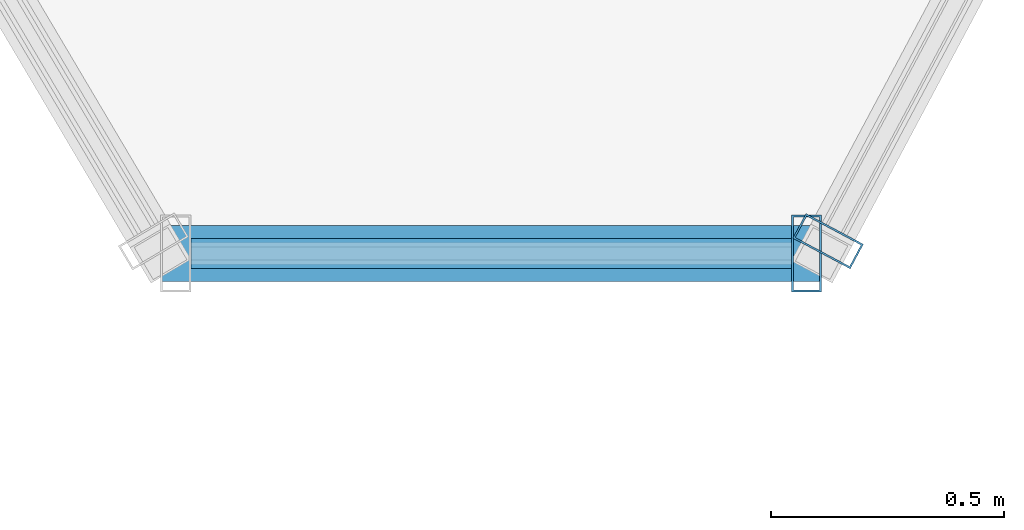
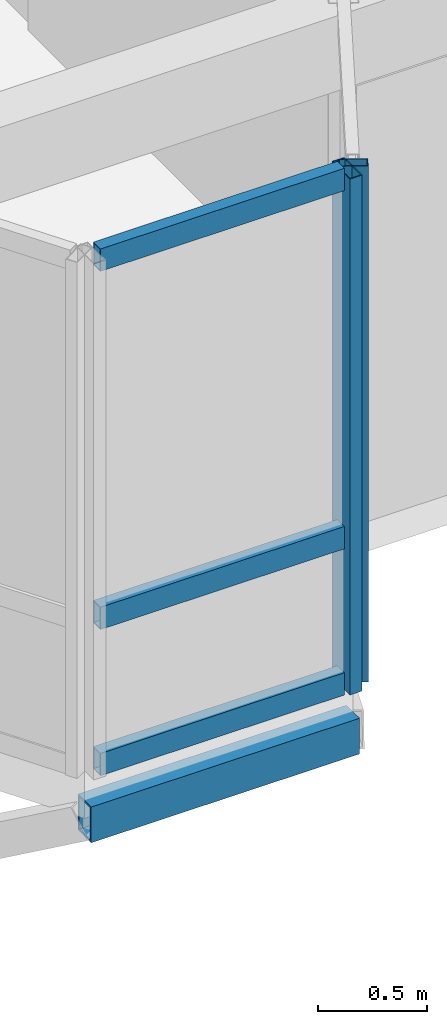
# One storey, part 28 of 64: 6 members, 2 elements without a shape of their own.
"""IFC4 building model written with IfcOpenShell, lengths in metres."""

import ifcopenshell
import ifcopenshell.guid

model = None  # the IFC model being written
_history = None  # IfcOwnerHistory: only IFC2X3 demands one
_inside = {}  # id of a spatial element -> (the spatial element, [elements in it])
_under = {}  # id of a project, library or spatial element -> (it, [spatial elements below it])
_declared = {}  # id of a project -> (the project, [libraries it declares])
_typed = {}  # id of a type object -> (the type object, [elements of that type])
_made_of = {}  # id of a material, layer set ... -> (it, [elements and type objects made of it])


def new_model(schema):
    """Start an empty IFC model of exactly this schema.

    Asked for "IFC4X3", IfcOpenShell would pick the latest addendum, in which some entities
    have other attributes; the version numbers below select the first issue.
    IFC2X3 requires an IfcOwnerHistory on every rooted entity: one is made here for all.
    """
    global model, _history
    if schema == "IFC4X3":
        model = ifcopenshell.file(schema_version=(4, 3, 0, 0))
    else:
        model = ifcopenshell.file(schema=schema)
    _inside.clear()
    _under.clear()
    _declared.clear()
    _typed.clear()
    _made_of.clear()
    _history = None
    if model.schema == "IFC2X3":
        org = make("IfcOrganization", Name="unknown")
        user = make(
            "IfcPersonAndOrganization",
            ThePerson=make("IfcPerson", FamilyName="unknown"),
            TheOrganization=org,
        )
        app = make(
            "IfcApplication",
            ApplicationDeveloper=org,
            Version="unknown",
            ApplicationFullName="unknown",
            ApplicationIdentifier="unknown",
        )
        _history = make(
            "IfcOwnerHistory",
            OwningUser=user,
            OwningApplication=app,
            ChangeAction="ADDED",
            CreationDate=0,
        )
    return model


def make(cls, **values):
    """One entity of the class cls with the attributes given. An attribute that is None is left unset."""
    return model.create_entity(
        cls, **{name: value for name, value in values.items() if value is not None}
    )


def rooted(cls, **values):
    """An entity with a GlobalId (a new one), such as an element, a storey or a relation."""
    return make(cls, GlobalId=ifcopenshell.guid.new(), OwnerHistory=_history, **values)


def si_unit(unit_type, name, prefix=None):
    """IfcSIUnit, for example si_unit("LENGTHUNIT", "METRE", prefix="MILLI")."""
    return make("IfcSIUnit", UnitType=unit_type, Prefix=prefix, Name=name)


def assignment(units):
    """IfcUnitAssignment: the units of a project."""
    return None if units is None else make("IfcUnitAssignment", Units=units)


def point(xyz):
    """IfcCartesianPoint."""
    return None if xyz is None else make("IfcCartesianPoint", Coordinates=xyz)


def direction(xyz):
    """IfcDirection."""
    return None if xyz is None else make("IfcDirection", DirectionRatios=xyz)


def frame(location, z_axis=None, x_axis=None):
    """IfcAxis2Placement3D, a coordinate frame: its origin and axes. An axis left out is left unset."""
    return make(
        "IfcAxis2Placement3D",
        Location=point(location),
        Axis=direction(z_axis),
        RefDirection=direction(x_axis),
    )


def frame_2d(location, x_axis=None):
    """IfcAxis2Placement2D, a coordinate frame in the plane: its origin and x axis."""
    return make(
        "IfcAxis2Placement2D", Location=point(location), RefDirection=direction(x_axis)
    )


def origin():
    """The frame at (0, 0, 0) with its axes left unset."""
    return frame((0.0, 0.0, 0.0))


def origin_2d():
    """The frame at (0, 0) in the plane with its x axis left unset."""
    return frame_2d((0.0, 0.0))


def place(relative_to, where):
    """IfcLocalPlacement: puts the frame where relative to a parent placement (None: the world)."""
    return make(
        "IfcLocalPlacement", PlacementRelTo=relative_to, RelativePlacement=where
    )


def context(
    kind, dimensions, precision=None, world=None, true_north=None, identifier=None
):
    """IfcGeometricRepresentationContext, for example the 3D "Model" context."""
    return make(
        "IfcGeometricRepresentationContext",
        ContextIdentifier=identifier,
        ContextType=kind,
        CoordinateSpaceDimension=dimensions,
        Precision=precision,
        WorldCoordinateSystem=world,
        TrueNorth=true_north,
    )


def subcontext(parent, identifier, kind, view, scale=None):
    """IfcGeometricRepresentationSubContext, for example "Body" below "Model"."""
    return make(
        "IfcGeometricRepresentationSubContext",
        ContextIdentifier=identifier,
        ContextType=kind,
        ParentContext=parent,
        TargetScale=scale,
        TargetView=view,
    )


def project(units=None, contexts=None):
    """IfcProject with its units and contexts."""
    return rooted(
        "IfcProject",
        Name="project",
        RepresentationContexts=contexts,
        UnitsInContext=assignment(units),
    )


def spatial(cls, under=None, at=None, **own):
    """A site, building, storey or space (cls), placed at a placement, below another one or the project."""
    s = rooted(cls, ObjectPlacement=at, **own)
    if under is not None:
        _under.setdefault(under.id(), (under, []))[1].append(s)
    return s


def profile(cls, at=None, kind="AREA", **sizes):
    """A parametric profile (cls). Its sizes go by their IFC names, for example OverallWidth=200.0."""
    return make(cls, ProfileType=kind, Position=at, **sizes)


def hollow_rectangle(**sizes):
    """IfcRectangleHollowProfileDef."""
    return profile("IfcRectangleHollowProfileDef", **sizes)


def extrude(swept, where, along, depth):
    """IfcExtrudedAreaSolid: the profile swept, set in the frame where, extruded along a direction by depth."""
    return make(
        "IfcExtrudedAreaSolid",
        SweptArea=swept,
        Position=where,
        ExtrudedDirection=direction(along),
        Depth=depth,
    )


def shape(context_of_items, identifier, shape_type, items):
    """IfcShapeRepresentation: the items that make up one representation, for example the "Body"."""
    return make(
        "IfcShapeRepresentation",
        ContextOfItems=context_of_items,
        RepresentationIdentifier=identifier,
        RepresentationType=shape_type,
        Items=items,
    )


def material(Name=None, Category=None):
    """IfcMaterial."""
    return make("IfcMaterial", Name=Name, Category=Category)


def layer(
    of_material, thickness, ventilated=None, Name=None, Category=None, Priority=None
):
    """IfcMaterialLayer: one layer of a wall or slab, of a material (None: an air gap)."""
    return make(
        "IfcMaterialLayer",
        Material=of_material,
        LayerThickness=thickness,
        IsVentilated=ventilated,
        Name=Name,
        Category=Category,
        Priority=Priority,
    )


def layer_set(layers, Name=None):
    """IfcMaterialLayerSet."""
    return make("IfcMaterialLayerSet", MaterialLayers=layers, LayerSetName=Name)


def material_profile(
    of_material, cross_section, Name=None, Category=None, Priority=None
):
    """IfcMaterialProfile: a cross section and its material."""
    return make(
        "IfcMaterialProfile",
        Name=Name,
        Material=of_material,
        Profile=cross_section,
        Priority=Priority,
        Category=Category,
    )


def profile_set(profiles, Name=None, composite=None):
    """IfcMaterialProfileSet."""
    return make(
        "IfcMaterialProfileSet",
        Name=Name,
        MaterialProfiles=profiles,
        CompositeProfile=composite,
    )


def made_of(thing, what):
    """Note that an element or type object is made of a material, layer set ...; save() writes the relation."""
    if what is not None:
        _made_of.setdefault(what.id(), (what, []))[1].append(thing)
    return thing


def type_object(cls, material=None, **own):
    """A type object (cls), such as IfcWallType, which elements share."""
    return made_of(rooted(cls, **own), material)


def element(
    cls,
    number,
    at=None,
    inside=None,
    cuts=None,
    type_object=None,
    material=None,
    context=None,
    identifier="Body",
    shape_type=None,
    held_by="IfcProductDefinitionShape",
    body=None,
    shapes=None,
    **own,
):
    """One element of the class cls, such as IfcWall. Its Tag is "e" and its number.

    at: its placement. inside: the storey or other place that contains it. cuts: it is an
    opening in that element (IfcRelVoidsElement). A single representation is given by context,
    identifier, shape_type and body (its items); several are given by shapes. held_by: the class
    of the entity that holds the representations. save() writes the other relations.
    """
    e = rooted(cls, Tag="e%d" % number, ObjectPlacement=at, **own)
    if body is not None:
        shapes = [shape(context, identifier, shape_type, body)]
    if shapes is not None:
        e.Representation = make(held_by, Representations=shapes)
    if inside is not None:
        _inside.setdefault(inside.id(), (inside, []))[1].append(e)
    if cuts is not None:
        rooted(
            "IfcRelVoidsElement", RelatingBuildingElement=cuts, RelatedOpeningElement=e
        )
    if type_object is not None:
        _typed.setdefault(type_object.id(), (type_object, []))[1].append(e)
    return made_of(e, material)


def aggregate(whole, parts):
    """IfcRelAggregates: a whole, such as a stair, and the parts it consists of."""
    return rooted("IfcRelAggregates", RelatingObject=whole, RelatedObjects=parts)


def save(model, path):
    """Write the relations noted so far, then the file.

    IfcRelAggregates (storeys below a building ...), IfcRelContainedInSpatialStructure (elements
    in a storey), IfcRelDefinesByType, IfcRelAssociatesMaterial and IfcRelDeclares: one each for
    every whole, place, type object, material and project.
    """
    for whole, parts in _under.values():
        aggregate(whole, parts)
    for where, things in _inside.values():
        rooted(
            "IfcRelContainedInSpatialStructure",
            RelatedElements=things,
            RelatingStructure=where,
        )
    for kind, things in _typed.values():
        rooted("IfcRelDefinesByType", RelatedObjects=things, RelatingType=kind)
    for what, things in _made_of.values():
        rooted("IfcRelAssociatesMaterial", RelatedObjects=things, RelatingMaterial=what)
    for by, libraries in _declared.values():
        rooted("IfcRelDeclares", RelatingContext=by, RelatedDefinitions=libraries)
    model.write(path)


model = new_model("IFC4")

# Units and contexts
model_context = context("Model", 3, precision=1e-05, world=origin(), true_north=direction((0.0, 1.0)))
body_context = subcontext(model_context, "Body", "Model", "MODEL_VIEW")
ifc_project = project(units=[si_unit("LENGTHUNIT", "METRE"), si_unit("AREAUNIT", "SQUARE_METRE"), si_unit("VOLUMEUNIT", "CUBIC_METRE"), si_unit("PLANEANGLEUNIT", "RADIAN"), si_unit("MASSUNIT", "GRAM", prefix="KILO"), si_unit("THERMODYNAMICTEMPERATUREUNIT", "KELVIN"), si_unit("POWERUNIT", "WATT")], contexts=[model_context])

# Site, building, storey
site_placement = place(None, origin())
site = spatial("IfcSite", under=ifc_project, at=site_placement, CompositionType="ELEMENT")
building_placement = place(site_placement, origin())
building = spatial("IfcBuilding", under=site, at=building_placement, Name="Tavuni Mirador Residences", CompositionType="ELEMENT")
storey_placement = place(building_placement, frame((0.0, 0.0, 26.550048828125)))
storey = spatial("IfcBuildingStorey", under=building, at=storey_placement, Name="L08", CompositionType="ELEMENT", Elevation=26.550048828125)

# Curtain wall, member
ifc_material_1 = material(Name="Anodised aluminium", Category="aluminium")
ifc_layer_1 = layer(ifc_material_1, 0.175048828125, Name="Anodised aluminium", Category="aluminium")
ifc_layer_set_1 = layer_set([ifc_layer_1], Name="Anodised aluminium")
curtain_wall_type_1 = type_object("IfcCurtainWallType", Name="CWT-MIR-C", PredefinedType="NOTDEFINED", material=ifc_layer_set_1)
curtain_wall_1_placement = place(storey_placement, origin())
curtain_wall_1 = element("IfcCurtainWall", 1, at=curtain_wall_1_placement, inside=storey, type_object=curtain_wall_type_1, Name="CW-MIR-C-S3-L08-M2", PredefinedType="NOTDEFINED")
ifc_material_profile_1 = material_profile(ifc_material_1, hollow_rectangle(XDim=0.06005859375, YDim=0.139892578125, WallThickness=0.00390625, at=origin_2d()), Name="ALU 60x140x4.0", Category="aluminium")
ifc_profile_set_1 = profile_set([ifc_material_profile_1], Name="Anodised aluminium")
member_type_1 = type_object("IfcMemberType", Name="CWM-140", PredefinedType="MULLION", material=ifc_profile_set_1)
member_1_placement = place(storey_placement, frame((49.194091796875, 142.826416015625, 0.0), z_axis=(0.0, 0.0, 1.0), x_axis=(0.470588235296, 0.882352941175, 0.0)))
member_1 = element("IfcMember", 2, at=member_1_placement, type_object=member_type_1, Name="CW-03 mullion 1", PredefinedType="MULLION", context=body_context, shape_type="SweptSolid", body=[
    extrude(hollow_rectangle(XDim=0.06005859375, YDim=0.139892578125, WallThickness=0.00390625, at=origin_2d()), origin(), (0.0, 0.0, 1.0), 2.885009765625),
])
aggregate(curtain_wall_1, [member_1])

# Curtain wall, members
ifc_layer_2 = layer(ifc_material_1, 0.14990234375, Name="Anodised aluminium", Category="aluminium")
ifc_layer_set_2 = layer_set([ifc_layer_2], Name="Anodised aluminium")
curtain_wall_type_2 = type_object("IfcCurtainWallType", Name="CWT-MIR-B", PredefinedType="NOTDEFINED", material=ifc_layer_set_2)
curtain_wall_2_placement = place(storey_placement, origin())
curtain_wall_2 = element("IfcCurtainWall", 3, at=curtain_wall_2_placement, inside=storey, type_object=curtain_wall_type_2, Name="CW-MIR-C-S3-L08-MF", PredefinedType="NOTDEFINED")
ifc_material_profile_2 = material_profile(ifc_material_1, hollow_rectangle(XDim=0.06494140625, YDim=0.1650390625, WallThickness=0.00439453125, at=origin_2d()), Name="ALU 65x165x4.5", Category="aluminium")
ifc_profile_set_2 = profile_set([ifc_material_profile_2], Name="Anodised aluminium")
member_type_2 = type_object("IfcMemberType", Name="CWM-165", PredefinedType="MULLION", material=ifc_profile_set_2)
member_2_placement = place(storey_placement, frame((49.1474609375, 142.800048828125, 0.0), z_axis=(0.0, 0.0, 1.0), x_axis=(1.0, 0.0, 0.0)))
member_2 = element("IfcMember", 4, at=member_2_placement, type_object=member_type_2, Name="CW-02 mullion 2", PredefinedType="MULLION", context=body_context, shape_type="SweptSolid", body=[
    extrude(hollow_rectangle(XDim=0.06494140625, YDim=0.1650390625, WallThickness=0.00439453125, at=origin_2d()), origin(), (0.0, 0.0, 1.0), 2.885009765625),
])
ifc_material_profile_3 = material_profile(ifc_material_1, hollow_rectangle(XDim=0.06494140625, YDim=0.125, WallThickness=0.00439453125, at=origin_2d()), Name="ALU 65x125x4.5", Category="aluminium")
ifc_profile_set_3 = profile_set([ifc_material_profile_3], Name="Anodised aluminium")
member_type_3 = type_object("IfcMemberType", Name="CWT-125", PredefinedType="USERDEFINED", material=ifc_profile_set_3)
member_3_placement = place(storey_placement, frame((47.824951171875, 142.800048828125, 0.032470703125), z_axis=(1.0, 0.0, 0.0), x_axis=(0.0, 1.0, 0.0)))
member_3 = element("IfcMember", 5, at=member_3_placement, type_object=member_type_3, Name="CW-02 transom 1.1", ObjectType="TRANSOM", PredefinedType="USERDEFINED", context=body_context, shape_type="SweptSolid", body=[
    extrude(hollow_rectangle(XDim=0.06494140625, YDim=0.125, WallThickness=0.00439453125, at=origin_2d()), origin(), (0.0, 0.0, 1.0), 1.2900390625),
])
member_4_placement = place(storey_placement, frame((47.824951171875, 142.800048828125, 0.849853515625), z_axis=(1.0, 0.0, 0.0), x_axis=(0.0, 1.0, 0.0)))
member_4 = element("IfcMember", 6, at=member_4_placement, type_object=member_type_3, Name="CW-02 transom 1.2", ObjectType="TRANSOM", PredefinedType="USERDEFINED", context=body_context, shape_type="SweptSolid", body=[
    extrude(hollow_rectangle(XDim=0.06494140625, YDim=0.125, WallThickness=0.00439453125, at=origin_2d()), origin(), (0.0, 0.0, 1.0), 1.2900390625),
])
member_5_placement = place(storey_placement, frame((47.824951171875, 142.800048828125, 2.8525390625), z_axis=(1.0, 0.0, 0.0), x_axis=(0.0, 1.0, 0.0)))
member_5 = element("IfcMember", 7, at=member_5_placement, type_object=member_type_3, Name="CW-02 transom 1.3", ObjectType="TRANSOM", PredefinedType="USERDEFINED", context=body_context, shape_type="SweptSolid", body=[
    extrude(hollow_rectangle(XDim=0.06494140625, YDim=0.125, WallThickness=0.00439453125, at=origin_2d()), origin(), (0.0, 0.0, 1.0), 1.2900390625),
])
aggregate(curtain_wall_2, [member_2, member_3, member_4, member_5])

# Member
ifc_material_2 = material(Name="Structural steel S355", Category="steel")
ifc_material_profile_4 = material_profile(ifc_material_2, hollow_rectangle(XDim=0.1201171875, YDim=0.199951171875, WallThickness=0.010009765625, at=origin_2d()), Name="RHS 200x120x10.0", Category="steel")
ifc_profile_set_4 = profile_set([ifc_material_profile_4], Name="Structural steel S355")
member_type_4 = type_object("IfcMemberType", Name="MT-ST-RHS200", PredefinedType="STRUT", material=ifc_profile_set_4)
member_6_placement = place(storey_placement, frame((47.760009765625, 142.800048828125, -0.26513671875), z_axis=(1.0, 0.0, 0.0), x_axis=(0.0, 1.0, 0.0)))
element("IfcMember", 8, at=member_6_placement, inside=storey, type_object=member_type_4, Name="MRIM-MIR-C-S3-L08", PredefinedType="STRUT", context=body_context, shape_type="SweptSolid", body=[
    extrude(hollow_rectangle(XDim=0.1201171875, YDim=0.199951171875, WallThickness=0.010009765625, at=origin_2d()), origin(), (0.0, 0.0, 1.0), 1.419921875),
])

save(model, "model.ifc")
